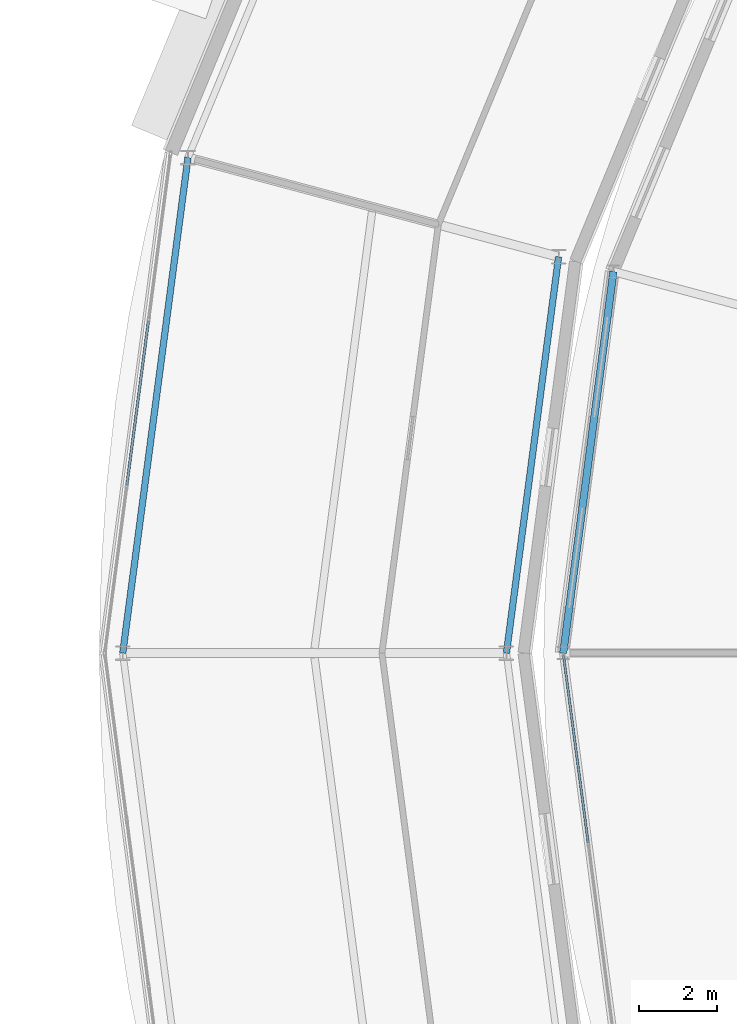
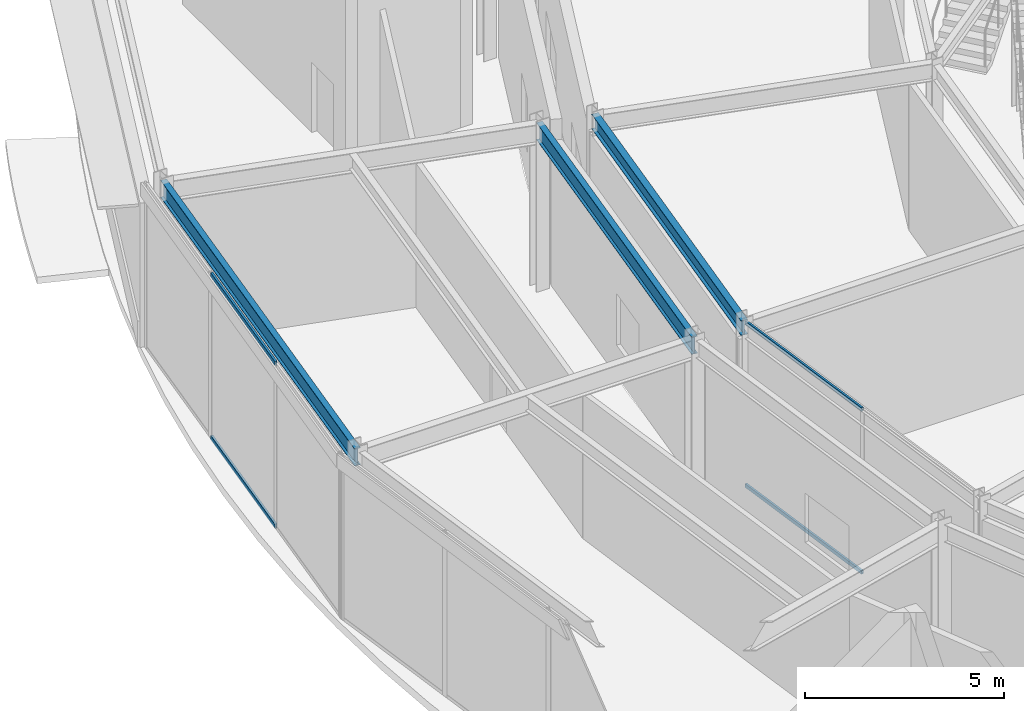
# One storey, part 38 of 168: 4 members, 3 beams, 2 elements without a shape of their own.
"""IFC4 building model written with IfcOpenShell, lengths in metres."""

from ifc_helpers import new_model, si_unit, direction, frame, origin, origin_2d, place, context, subcontext, project, spatial, hollow_rectangle, i_section, extrude, material, material_profile, profile_set, type_object, element, aggregate, save


model = new_model("IFC4")

# Units and contexts
model_context = context("Model", 3, precision=1e-05, world=origin(), true_north=direction((0.0, 1.0)))
body_context = subcontext(model_context, "Body", "Model", "MODEL_VIEW")
ifc_project = project(units=[si_unit("LENGTHUNIT", "METRE"), si_unit("AREAUNIT", "SQUARE_METRE"), si_unit("VOLUMEUNIT", "CUBIC_METRE"), si_unit("PLANEANGLEUNIT", "RADIAN"), si_unit("MASSUNIT", "GRAM", prefix="KILO")], contexts=[model_context])

# Site, building, storey
site_placement = place(None, origin())
site = spatial("IfcSite", under=ifc_project, at=site_placement, CompositionType="ELEMENT")
building_placement = place(site_placement, origin())
building = spatial("IfcBuilding", under=site, at=building_placement, Name="Almandine Court Research Institute", CompositionType="ELEMENT")
storey_placement = place(building_placement, origin())
storey = spatial("IfcBuildingStorey", under=building, at=storey_placement, Name="L00", CompositionType="ELEMENT", Elevation=0.0)

# Beams
ifc_material_1 = material(Name="Steel ASTM A992 Grade 50", Category="steel")
ifc_material_profile_1 = material_profile(ifc_material_1, i_section(OverallWidth=0.18994140625, OverallDepth=0.45703125, WebThickness=0.009033203125, FlangeThickness=0.014892578125, at=origin_2d()), Name="W460x74")
ifc_profile_set_1 = profile_set([ifc_material_profile_1], Name="Steel ASTM A992 Grade 50")
beam_type_1 = type_object("IfcBeamType", Name="Beam-B-01", PredefinedType="BEAM", material=ifc_profile_set_1)
beam_1_placement = place(storey_placement, frame((50.633056640625, 65.7451171875, 4.841064453125), z_axis=(-0.130525188913, -0.991444993461, 0.0), x_axis=(0.991444993461, -0.130525188913, 0.0)))
element("IfcBeam", 1, at=beam_1_placement, inside=storey, type_object=beam_type_1, Name="L00 Atrium Outer Ring Beam", PredefinedType="BEAM", context=body_context, shape_type="SweptSolid", body=[
    extrude(i_section(OverallWidth=0.18994140625, OverallDepth=0.45703125, WebThickness=0.009033203125, FlangeThickness=0.014892578125, at=origin_2d()), origin(), (0.0, 0.0, 1.0), 9.8291015625),
])
ifc_material_profile_2 = material_profile(ifc_material_1, i_section(OverallWidth=0.166015625, OverallDepth=0.534912109375, WebThickness=0.010009765625, FlangeThickness=0.01708984375, at=origin_2d()), Name="W530x85")
ifc_profile_set_2 = profile_set([ifc_material_profile_2], Name="Steel ASTM A992 Grade 50")
beam_type_2 = type_object("IfcBeamType", Name="Beam-G-05-E", PredefinedType="SPANDREL", material=ifc_profile_set_2)
beam_2_placement = place(storey_placement, frame((49.23193359375, 66.1201171875, 4.802978515625), z_axis=(-0.130496584681, -0.991448758831, 0.0), x_axis=(0.991448758831, -0.130496584681, 0.0)))
element("IfcBeam", 2, at=beam_2_placement, inside=storey, type_object=beam_type_2, Name="L00 Drum IN Ring Beam 11", PredefinedType="SPANDREL", context=body_context, shape_type="SweptSolid", body=[
    extrude(i_section(OverallWidth=0.166015625, OverallDepth=0.534912109375, WebThickness=0.010009765625, FlangeThickness=0.01708984375, at=origin_2d()), origin(), (0.0, 0.0, 1.0), 10.20751953125),
])
beam_3_placement = place(storey_placement, frame((39.76611328125, 68.656005859375, 4.802978515625), z_axis=(-0.130512396599, -0.991446677504, 0.0), x_axis=(0.991446677504, -0.130512396599, 0.0)))
element("IfcBeam", 3, at=beam_3_placement, inside=storey, type_object=beam_type_2, Name="L00 Drum OUT Ring Beam 11", PredefinedType="SPANDREL", context=body_context, shape_type="SweptSolid", body=[
    extrude(i_section(OverallWidth=0.166015625, OverallDepth=0.534912109375, WebThickness=0.010009765625, FlangeThickness=0.01708984375, at=origin_2d()), origin(), (0.0, 0.0, 1.0), 12.76513671875),
])

# Curtain wall, members
ifc_material_2 = material(Name="Unitised Curtain Wall Framing and Solar Glazing", Category="glass")
curtain_wall_type_1 = type_object("IfcCurtainWallType", Name="CW-CWG-23", PredefinedType="USERDEFINED", material=ifc_material_2)
curtain_wall_1_placement = place(storey_placement, origin())
curtain_wall_1 = element("IfcCurtainWall", 4, at=curtain_wall_1_placement, inside=storey, type_object=curtain_wall_type_1, Name="L00 Interaction Atrium Perimeter Curtain Wall 12", ObjectType="UNITISED GLAZING", PredefinedType="USERDEFINED")
ifc_material_3 = material(Name="Anodised Aluminium AW-6063-T6", Category="aluminium")
ifc_material_profile_3 = material_profile(ifc_material_3, hollow_rectangle(XDim=0.06005859375, YDim=0.110107421875, WallThickness=0.00390625, at=origin_2d()), Name="ALU RHS 60x110x4")
ifc_profile_set_3 = profile_set([ifc_material_profile_3], Name="Anodised Aluminium AW-6063-T6")
member_type_1 = type_object("IfcMemberType", Name="CWTrn-60x110", PredefinedType="NOTDEFINED", material=ifc_profile_set_3)
member_1_placement = place(storey_placement, frame((49.987060546875, 51.1572265625, 0.030029296875), z_axis=(-0.130514777294, 0.99144636411, 0.0), x_axis=(-0.99144636411, -0.130514777294, 0.0)))
member_1 = element("IfcMember", 5, at=member_1_placement, type_object=member_type_1, Name="CWG-23 transom 2.1", ObjectType="TRANSOM", PredefinedType="USERDEFINED", context=body_context, shape_type="SweptSolid", body=[
    extrude(hollow_rectangle(XDim=0.06005859375, YDim=0.110107421875, WallThickness=0.00390625, at=origin_2d()), origin(), (0.0, 0.0, 1.0), 4.820556640625),
])
member_2_placement = place(storey_placement, frame((49.987060546875, 51.1572265625, 5.0400390625), z_axis=(-0.130514777294, 0.99144636411, 0.0), x_axis=(-0.99144636411, -0.130514777294, 0.0)))
member_2 = element("IfcMember", 6, at=member_2_placement, type_object=member_type_1, Name="CWG-23 transom 2.2", ObjectType="TRANSOM", PredefinedType="USERDEFINED", context=body_context, shape_type="SweptSolid", body=[
    extrude(hollow_rectangle(XDim=0.06005859375, YDim=0.110107421875, WallThickness=0.00390625, at=origin_2d()), origin(), (0.0, 0.0, 1.0), 4.820556640625),
])
aggregate(curtain_wall_1, [member_1, member_2])

curtain_wall_type_2 = type_object("IfcCurtainWallType", Name="CW-CWJ-17", PredefinedType="USERDEFINED", material=ifc_material_2)
curtain_wall_2_placement = place(storey_placement, origin())
curtain_wall_2 = element("IfcCurtainWall", 7, at=curtain_wall_2_placement, inside=storey, type_object=curtain_wall_type_2, Name="L00 Stacked-Ring Drum Outer Solar Jali Screen 11", ObjectType="SOLAR JALI SCREEN", PredefinedType="USERDEFINED")
ifc_material_profile_4 = material_profile(ifc_material_3, hollow_rectangle(XDim=0.06494140625, YDim=0.1298828125, WallThickness=0.00390625, at=origin_2d()), Name="ALU RHS 65x130x4")
ifc_profile_set_4 = profile_set([ifc_material_profile_4], Name="Anodised Aluminium AW-6063-T6")
member_type_2 = type_object("IfcMemberType", Name="CWTrn-65x130", PredefinedType="NOTDEFINED", material=ifc_profile_set_4)
member_3_placement = place(storey_placement, frame((38.20458984375, 60.2919921875, 0.032470703125), z_axis=(0.130521740045, 0.991445447504, 0.0), x_axis=(-0.991445447504, 0.130521740045, 0.0)))
member_3 = element("IfcMember", 8, at=member_3_placement, type_object=member_type_2, Name="CWJ-17 transom 2.1", ObjectType="TRANSOM", PredefinedType="USERDEFINED", context=body_context, shape_type="SweptSolid", body=[
    extrude(hollow_rectangle(XDim=0.06494140625, YDim=0.1298828125, WallThickness=0.00390625, at=origin_2d()), origin(), (0.0, 0.0, 1.0), 4.227294921875),
])
member_4_placement = place(storey_placement, frame((38.20458984375, 60.2919921875, 5.03759765625), z_axis=(0.130521740045, 0.991445447504, 0.0), x_axis=(-0.991445447504, 0.130521740045, 0.0)))
member_4 = element("IfcMember", 9, at=member_4_placement, type_object=member_type_2, Name="CWJ-17 transom 2.2", ObjectType="TRANSOM", PredefinedType="USERDEFINED", context=body_context, shape_type="SweptSolid", body=[
    extrude(hollow_rectangle(XDim=0.06494140625, YDim=0.1298828125, WallThickness=0.00390625, at=origin_2d()), origin(), (0.0, 0.0, 1.0), 4.227294921875),
])
aggregate(curtain_wall_2, [member_3, member_4])

save(model, "model.ifc")
